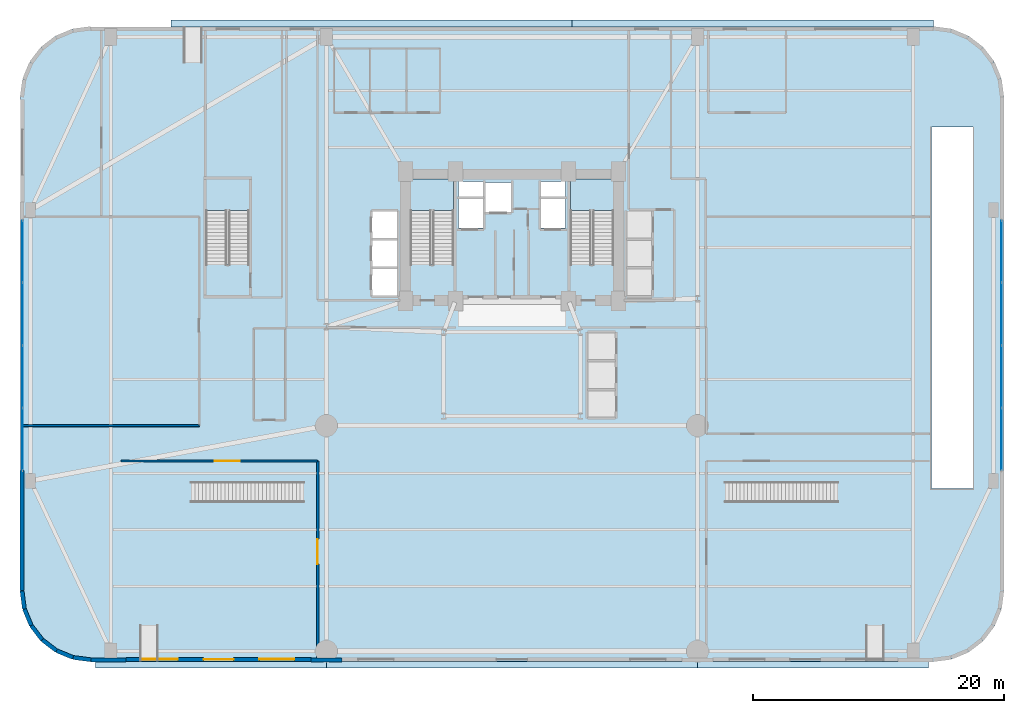
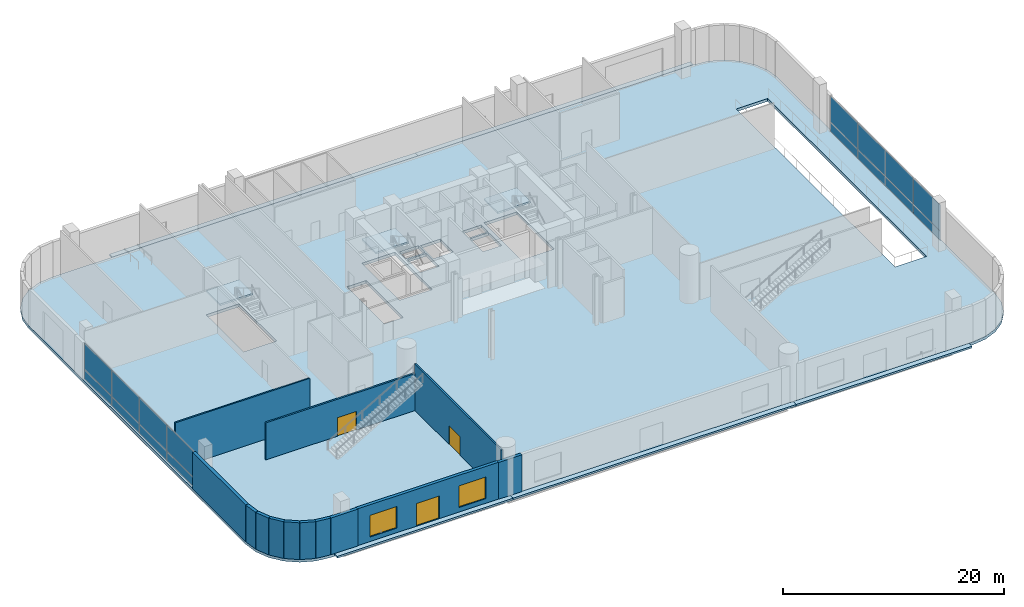
# One storey, part 15 of 26: 16 plates, 13 walls, 9 slabs, 3 doors, 2 windows, 5 openings, 5 elements without a shape of their own.
"""IFC4 building model written with IfcOpenShell, lengths in metres."""

from ifc_helpers import new_model, si_unit, direction, frame, frame_2d, origin, origin_2d, place, context, subcontext, project, spatial, polyline, rectangle, outline, extrude, source, transform, mapped, material, layer, layer_set, type_object, element, fill, aggregate, save


model = new_model("IFC4")

# Units and contexts
model_context = context("Model", 3, precision=1e-05, world=origin(), true_north=direction((0.0, 1.0)))
body_context = subcontext(model_context, "Body", "Model", "MODEL_VIEW")
ifc_project = project(units=[si_unit("LENGTHUNIT", "METRE"), si_unit("AREAUNIT", "SQUARE_METRE"), si_unit("VOLUMEUNIT", "CUBIC_METRE"), si_unit("PLANEANGLEUNIT", "RADIAN"), si_unit("MASSUNIT", "GRAM", prefix="KILO")], contexts=[model_context])

# Site, building, storey
site_placement = place(None, origin())
site = spatial("IfcSite", under=ifc_project, at=site_placement, CompositionType="ELEMENT")
building_placement = place(site_placement, origin())
building = spatial("IfcBuilding", under=site, at=building_placement, Name="Varnelok Gate Tower", CompositionType="ELEMENT")
storey_placement = place(building_placement, origin())
storey = spatial("IfcBuildingStorey", under=building, at=storey_placement, Name="L00", CompositionType="ELEMENT", Elevation=0.0)

# Stair, slab
ifc_material_1 = material(Name="Concrete C50/60", Category="concrete")
stair_type = type_object("IfcStairType", Name="STR-CORE-1650", PredefinedType="HALF_TURN_STAIR", material=ifc_material_1)
stair_1_placement = place(storey_placement, origin())
stair_1 = element("IfcStair", 1, at=stair_1_placement, inside=storey, type_object=stair_type, Name="L00 Exit Stair ST-1", PredefinedType="HALF_TURN_STAIR")
ifc_material_2 = material(Name="Concrete C45/55", Category="concrete")
ifc_layer_1 = layer(ifc_material_2, 0.199951171875)
ifc_layer_set_1 = layer_set([ifc_layer_1], Name="Concrete C45/55")
slab_type_1 = type_object("IfcSlabType", Name="SLB-LAND-200", PredefinedType="LANDING", material=ifc_layer_set_1)
slab_1_placement = place(storey_placement, frame((0.0, 0.0, 2.5)))
slab_1 = element("IfcSlab", 2, at=slab_1_placement, type_object=slab_type_1, Name="ST-1 landing 1", PredefinedType="LANDING", context=body_context, shape_type="SweptSolid", body=[
    extrude(outline(polyline([(34.550048828125, 35.949951171875), (34.550048828125, 38.449951171875), (31.10009765625, 38.449951171875), (31.10009765625, 35.949951171875), (34.550048828125, 35.949951171875)])), origin(), (0.0, 0.0, 1.0), 0.199951171875),
])
aggregate(stair_1, [slab_1])

stair_2_placement = place(storey_placement, origin())
stair_2 = element("IfcStair", 3, at=stair_2_placement, inside=storey, type_object=stair_type, Name="L00 Exit Stair ST-2", PredefinedType="HALF_TURN_STAIR")
slab_2_placement = place(storey_placement, frame((0.0, 0.0, 2.5)))
slab_2 = element("IfcSlab", 4, at=slab_2_placement, type_object=slab_type_1, Name="ST-2 landing 1", PredefinedType="LANDING", context=body_context, shape_type="SweptSolid", body=[
    extrude(outline(polyline([(47.300048828125, 35.949951171875), (47.300048828125, 38.449951171875), (43.85009765625, 38.449951171875), (43.85009765625, 35.949951171875), (47.300048828125, 35.949951171875)])), origin(), (0.0, 0.0, 1.0), 0.199951171875),
])
aggregate(stair_2, [slab_2])

stair_3_placement = place(storey_placement, origin())
stair_3 = element("IfcStair", 5, at=stair_3_placement, inside=storey, type_object=stair_type, Name="L00 Podium Exit Stair ST-3", PredefinedType="HALF_TURN_STAIR")
slab_3_placement = place(storey_placement, frame((0.0, 0.0, 2.5)))
slab_3 = element("IfcSlab", 6, at=slab_3_placement, type_object=slab_type_1, Name="ST-3 landing 1", PredefinedType="LANDING", context=body_context, shape_type="SweptSolid", body=[
    extrude(outline(polyline([(18.25, 35.949951171875), (18.25, 38.449951171875), (14.800048828125, 38.449951171875), (14.800048828125, 35.949951171875), (18.25, 35.949951171875)])), origin(), (0.0, 0.0, 1.0), 0.199951171875),
])
aggregate(stair_3, [slab_3])

# Slabs
ifc_layer_2 = layer(ifc_material_2, 0.199951171875)
ifc_layer_set_2 = layer_set([ifc_layer_2], Name="Concrete C45/55")
slab_type_2 = type_object("IfcSlabType", Name="SLB-PAVING-200", PredefinedType="USERDEFINED", material=ifc_layer_set_2)
slab_4_placement = place(storey_placement, frame((0.0, 0.0, -0.199951171875)))
element("IfcSlab", 7, at=slab_4_placement, inside=storey, type_object=slab_type_2, Name="South-West Hotel Drop-Off Forecourt Paving", ObjectType="PAVING", PredefinedType="USERDEFINED", context=body_context, shape_type="SweptSolid", body=[
    extrude(outline(polyline([(6.0, -0.550048828125), (24.39990234375, -0.550048828125), (24.39990234375, 0.0), (6.0, 0.0), (6.0, -0.550048828125)])), origin(), (0.0, 0.0, 1.0), 0.199951171875),
])
slab_5_placement = place(storey_placement, frame((0.0, 0.0, -0.199951171875)))
element("IfcSlab", 8, at=slab_5_placement, inside=storey, type_object=slab_type_2, Name="Grand Arch Portal Street Forecourt Paving", ObjectType="PAVING", PredefinedType="USERDEFINED", context=body_context, shape_type="SweptSolid", body=[
    extrude(outline(polyline([(24.39990234375, -0.550048828125), (54.0, -0.550048828125), (54.0, 0.0), (24.39990234375, 0.0), (24.39990234375, -0.550048828125)])), origin(), (0.0, 0.0, 1.0), 0.199951171875),
])
slab_6_placement = place(storey_placement, frame((0.0, 0.0, -0.199951171875)))
element("IfcSlab", 9, at=slab_6_placement, inside=storey, type_object=slab_type_2, Name="South-East Residences Forecourt Paving", ObjectType="PAVING", PredefinedType="USERDEFINED", context=body_context, shape_type="SweptSolid", body=[
    extrude(outline(polyline([(54.0, -0.550048828125), (72.39990234375, -0.550048828125), (72.39990234375, 0.0), (54.0, 0.0), (54.0, -0.550048828125)])), origin(), (0.0, 0.0, 1.0), 0.199951171875),
])
slab_7_placement = place(storey_placement, frame((0.0, 0.0, -0.199951171875)))
element("IfcSlab", 10, at=slab_7_placement, inside=storey, type_object=slab_type_2, Name="North Stair Exit Discharge Apron Paving", ObjectType="PAVING", PredefinedType="USERDEFINED", context=body_context, shape_type="SweptSolid", body=[
    extrude(outline(polyline([(12.0, 50.60009765625), (44.0, 50.60009765625), (44.0, 51.14990234375), (12.0, 51.14990234375), (12.0, 50.60009765625)])), origin(), (0.0, 0.0, 1.0), 0.199951171875),
])
slab_8_placement = place(storey_placement, frame((0.0, 0.0, -0.199951171875)))
element("IfcSlab", 11, at=slab_8_placement, inside=storey, type_object=slab_type_2, Name="North Driveway and FCC Apron Paving", ObjectType="PAVING", PredefinedType="USERDEFINED", context=body_context, shape_type="SweptSolid", body=[
    extrude(outline(polyline([(44.0, 50.60009765625), (72.800048828125, 50.60009765625), (72.800048828125, 51.14990234375), (44.0, 51.14990234375), (44.0, 50.60009765625)])), origin(), (0.0, 0.0, 1.0), 0.199951171875),
])
ifc_material_3 = material(Name="Concrete C60/75", Category="concrete")
ifc_layer_3 = layer(ifc_material_3, 0.320068359375)
ifc_layer_set_3 = layer_set([ifc_layer_3], Name="Concrete C60/75")
slab_type_3 = type_object("IfcSlabType", Name="SLB-TRN-320", PredefinedType="FLOOR", material=ifc_layer_set_3)
slab_9_placement = place(storey_placement, frame((0.0, 0.0, -0.320068359375)))
element("IfcSlab", 12, at=slab_9_placement, inside=storey, type_object=slab_type_3, Name="L00 Structural Floor Slab", PredefinedType="FLOOR", context=body_context, shape_type="SweptSolid", body=[
    extrude(outline(polyline([(0.0, 5.60009765625), (0.19091796875, 4.150634765625), (0.750244140625, 2.800048828125), (1.64013671875, 1.64013671875), (2.800048828125, 0.750244140625), (4.150634765625, 0.19091796875), (5.60009765625, 0.0), (72.800048828125, 0.0), (74.24951171875, 0.19091796875), (75.60009765625, 0.750244140625), (76.759765625, 1.64013671875), (77.649658203125, 2.800048828125), (78.209228515625, 4.150634765625), (78.39990234375, 5.60009765625), (78.39990234375, 45.0), (78.209228515625, 46.449462890625), (77.649658203125, 47.800048828125), (76.759765625, 48.959716796875), (75.60009765625, 49.849609375), (74.24951171875, 50.4091796875), (72.800048828125, 50.60009765625), (5.60009765625, 50.60009765625), (4.150634765625, 50.4091796875), (2.800048828125, 49.849609375), (1.64013671875, 48.959716796875), (0.750244140625, 47.800048828125), (0.19091796875, 46.449462890625), (0.0, 45.0), (0.0, 5.60009765625)]), holes=[polyline([(34.550048828125, 31.679931640625), (34.550048828125, 38.449951171875), (31.10009765625, 38.449951171875), (31.10009765625, 31.679931640625), (34.550048828125, 31.679931640625)]), polyline([(47.300048828125, 31.679931640625), (47.300048828125, 38.449951171875), (43.85009765625, 38.449951171875), (43.85009765625, 31.679931640625), (47.300048828125, 31.679931640625)]), polyline([(18.25, 31.679931640625), (18.25, 38.449951171875), (14.800048828125, 38.449951171875), (14.800048828125, 31.679931640625), (18.25, 31.679931640625)]), polyline([(34.949951171875, 34.550048828125), (36.89990234375, 34.550048828125), (36.89990234375, 36.89990234375), (34.949951171875, 36.89990234375), (34.949951171875, 34.550048828125)]), polyline([(41.5, 34.550048828125), (43.449951171875, 34.550048828125), (43.449951171875, 36.89990234375), (41.5, 36.89990234375), (41.5, 34.550048828125)]), polyline([(37.050048828125, 35.85009765625), (39.14990234375, 35.85009765625), (39.14990234375, 38.199951171875), (37.050048828125, 38.199951171875), (37.050048828125, 35.85009765625)]), polyline([(28.050048828125, 29.14990234375), (30.050048828125, 29.14990234375), (30.050048828125, 35.89990234375), (28.050048828125, 35.89990234375), (28.050048828125, 29.14990234375)]), polyline([(34.919921875, 37.080078125), (36.89990234375, 37.080078125), (36.89990234375, 38.280029296875), (34.919921875, 38.280029296875), (34.919921875, 37.080078125)]), polyline([(41.5, 37.080078125), (43.47998046875, 37.080078125), (43.47998046875, 38.280029296875), (41.5, 38.280029296875), (41.5, 37.080078125)]), polyline([(72.64990234375, 13.800048828125), (75.949951171875, 13.800048828125), (75.949951171875, 42.60009765625), (72.64990234375, 42.60009765625), (72.64990234375, 13.800048828125)])]), origin(), (0.0, 0.0, 1.0), 0.320068359375),
])

# Curtain wall, plates
ifc_material_4 = material(Name="Anodized Aluminum Alloy 6063-T6", Category="aluminium")
ifc_layer_4 = layer(ifc_material_4, 0.179931640625)
ifc_layer_set_4 = layer_set([ifc_layer_4], Name="Anodized Aluminum Alloy 6063-T6")
curtain_wall_type = type_object("IfcCurtainWallType", Name="CW1-ARCH-PORTAL", PredefinedType="USERDEFINED", material=ifc_layer_set_4)
curtain_wall_1_placement = place(storey_placement, origin())
curtain_wall_1 = element("IfcCurtainWall", 13, at=curtain_wall_1_placement, inside=storey, type_object=curtain_wall_type, Name="L00 Podium Portal Curtain Wall W", ObjectType="UNITISED CURTAIN WALL", PredefinedType="USERDEFINED")
ifc_material_5 = material(Name="Low-E Laminated Double Glazing IGU", Category="glass")
ifc_layer_5 = layer(ifc_material_5, 0.028076171875)
ifc_layer_set_5 = layer_set([ifc_layer_5], Name="Low-E Laminated Double Glazing IGU")
plate_type = type_object("IfcPlateType", Name="CW-PNL-IGU28", PredefinedType="CURTAIN_PANEL", material=ifc_layer_set_5)
shared_shape_1 = source(origin(), body_context, "Body", "SweptSolid", [
    extrude(rectangle(XDim=4.887451171875, YDim=0.028076171875, at=origin_2d()), origin(), (0.0, 0.0, 1.0), 0.987548828125),
])
plate_1_placement = place(storey_placement, frame((0.159912109375, 17.71875, 0.0751953125), z_axis=(0.0, 0.0, 1.0), x_axis=(0.0, 1.0, 0.0)))
plate_1 = element("IfcPlate", 14, at=plate_1_placement, type_object=plate_type, Name="CW1 panel 1.1", PredefinedType="CURTAIN_PANEL", context=body_context, shape_type="MappedRepresentation", body=[
    mapped(shared_shape_1, transform((0.0, 0.0, 0.0), scale=1.0)),
])
plate_2_placement = place(storey_placement, frame((0.159912109375, 32.68115234375, 0.0751953125), z_axis=(0.0, 0.0, 1.0), x_axis=(0.0, 1.0, 0.0)))
plate_2 = element("IfcPlate", 15, at=plate_2_placement, type_object=plate_type, Name="CW1 panel 4.1", PredefinedType="CURTAIN_PANEL", context=body_context, shape_type="MappedRepresentation", body=[
    mapped(shared_shape_1, transform((0.0, 0.0, 0.0), scale=1.0)),
])

curtain_wall_2_placement = place(storey_placement, origin())
curtain_wall_2 = element("IfcCurtainWall", 16, at=curtain_wall_2_placement, inside=storey, type_object=curtain_wall_type, Name="L00 Podium Portal Curtain Wall E", ObjectType="UNITISED CURTAIN WALL", PredefinedType="USERDEFINED")
plate_3_placement = place(storey_placement, frame((78.239990234375, 32.68115234375, 0.0751953125), z_axis=(0.0, 0.0, 1.0), x_axis=(0.0, -1.0, 0.0)))
plate_3 = element("IfcPlate", 17, at=plate_3_placement, type_object=plate_type, Name="CW1 panel 1.1", PredefinedType="CURTAIN_PANEL", context=body_context, shape_type="MappedRepresentation", body=[
    mapped(shared_shape_1, transform((0.0, 0.0, 0.0), scale=1.0)),
])
plate_4_placement = place(storey_placement, frame((78.239990234375, 17.71875, 0.0751953125), z_axis=(0.0, 0.0, 1.0), x_axis=(0.0, -1.0, 0.0)))
plate_4 = element("IfcPlate", 18, at=plate_4_placement, type_object=plate_type, Name="CW1 panel 4.1", PredefinedType="CURTAIN_PANEL", context=body_context, shape_type="MappedRepresentation", body=[
    mapped(shared_shape_1, transform((0.0, 0.0, 0.0), scale=1.0)),
])

# Plate
shared_shape_2 = source(origin(), body_context, "Body", "SweptSolid", [
    extrude(rectangle(XDim=4.887451171875, YDim=0.028076171875, at=origin_2d()), origin(), (0.0, 0.0, 1.0), 2.857421875),
])
plate_5_placement = place(storey_placement, frame((0.159912109375, 17.71875, 1.137451171875), z_axis=(0.0, 0.0, 1.0), x_axis=(0.0, 1.0, 0.0)))
plate_5 = element("IfcPlate", 19, at=plate_5_placement, type_object=plate_type, Name="CW1 panel 1.2", PredefinedType="CURTAIN_PANEL", context=body_context, shape_type="MappedRepresentation", body=[
    mapped(shared_shape_2, transform((0.0, 0.0, 0.0), scale=1.0)),
])

plate_6_placement = place(storey_placement, frame((0.159912109375, 32.68115234375, 1.137451171875), z_axis=(0.0, 0.0, 1.0), x_axis=(0.0, 1.0, 0.0)))
plate_6 = element("IfcPlate", 20, at=plate_6_placement, type_object=plate_type, Name="CW1 panel 4.2", PredefinedType="CURTAIN_PANEL", context=body_context, shape_type="MappedRepresentation", body=[
    mapped(shared_shape_2, transform((0.0, 0.0, 0.0), scale=1.0)),
])

plate_7_placement = place(storey_placement, frame((78.239990234375, 32.68115234375, 1.137451171875), z_axis=(0.0, 0.0, 1.0), x_axis=(0.0, -1.0, 0.0)))
plate_7 = element("IfcPlate", 21, at=plate_7_placement, type_object=plate_type, Name="CW1 panel 1.2", PredefinedType="CURTAIN_PANEL", context=body_context, shape_type="MappedRepresentation", body=[
    mapped(shared_shape_2, transform((0.0, 0.0, 0.0), scale=1.0)),
])

plate_8_placement = place(storey_placement, frame((78.239990234375, 17.71875, 1.137451171875), z_axis=(0.0, 0.0, 1.0), x_axis=(0.0, -1.0, 0.0)))
plate_8 = element("IfcPlate", 22, at=plate_8_placement, type_object=plate_type, Name="CW1 panel 4.2", PredefinedType="CURTAIN_PANEL", context=body_context, shape_type="MappedRepresentation", body=[
    mapped(shared_shape_2, transform((0.0, 0.0, 0.0), scale=1.0)),
])

shared_shape_3 = source(origin(), body_context, "Body", "SweptSolid", [
    extrude(rectangle(XDim=4.925048828125, YDim=0.028076171875, at=origin_2d()), origin(), (0.0, 0.0, 1.0), 0.987548828125),
])
plate_9_placement = place(storey_placement, frame((0.159912109375, 22.699951171875, 0.0751953125), z_axis=(0.0, 0.0, 1.0), x_axis=(0.0, 1.0, 0.0)))
plate_9 = element("IfcPlate", 23, at=plate_9_placement, type_object=plate_type, Name="CW1 panel 2.1", PredefinedType="CURTAIN_PANEL", context=body_context, shape_type="MappedRepresentation", body=[
    mapped(shared_shape_3, transform((0.0, 0.0, 0.0), scale=1.0)),
])

plate_10_placement = place(storey_placement, frame((0.159912109375, 27.699951171875, 0.0751953125), z_axis=(0.0, 0.0, 1.0), x_axis=(0.0, 1.0, 0.0)))
plate_10 = element("IfcPlate", 24, at=plate_10_placement, type_object=plate_type, Name="CW1 panel 3.1", PredefinedType="CURTAIN_PANEL", context=body_context, shape_type="MappedRepresentation", body=[
    mapped(shared_shape_3, transform((0.0, 0.0, 0.0), scale=1.0)),
])

plate_11_placement = place(storey_placement, frame((78.239990234375, 27.699951171875, 0.0751953125), z_axis=(0.0, 0.0, 1.0), x_axis=(0.0, -1.0, 0.0)))
plate_11 = element("IfcPlate", 25, at=plate_11_placement, type_object=plate_type, Name="CW1 panel 2.1", PredefinedType="CURTAIN_PANEL", context=body_context, shape_type="MappedRepresentation", body=[
    mapped(shared_shape_3, transform((0.0, 0.0, 0.0), scale=1.0)),
])

plate_12_placement = place(storey_placement, frame((78.239990234375, 22.699951171875, 0.0751953125), z_axis=(0.0, 0.0, 1.0), x_axis=(0.0, -1.0, 0.0)))
plate_12 = element("IfcPlate", 26, at=plate_12_placement, type_object=plate_type, Name="CW1 panel 3.1", PredefinedType="CURTAIN_PANEL", context=body_context, shape_type="MappedRepresentation", body=[
    mapped(shared_shape_3, transform((0.0, 0.0, 0.0), scale=1.0)),
])

shared_shape_4 = source(origin(), body_context, "Body", "SweptSolid", [
    extrude(rectangle(XDim=4.925048828125, YDim=0.028076171875, at=origin_2d()), origin(), (0.0, 0.0, 1.0), 2.857421875),
])
plate_13_placement = place(storey_placement, frame((0.159912109375, 22.699951171875, 1.137451171875), z_axis=(0.0, 0.0, 1.0), x_axis=(0.0, 1.0, 0.0)))
plate_13 = element("IfcPlate", 27, at=plate_13_placement, type_object=plate_type, Name="CW1 panel 2.2", PredefinedType="CURTAIN_PANEL", context=body_context, shape_type="MappedRepresentation", body=[
    mapped(shared_shape_4, transform((0.0, 0.0, 0.0), scale=1.0)),
])

plate_14_placement = place(storey_placement, frame((0.159912109375, 27.699951171875, 1.137451171875), z_axis=(0.0, 0.0, 1.0), x_axis=(0.0, 1.0, 0.0)))
plate_14 = element("IfcPlate", 28, at=plate_14_placement, type_object=plate_type, Name="CW1 panel 3.2", PredefinedType="CURTAIN_PANEL", context=body_context, shape_type="MappedRepresentation", body=[
    mapped(shared_shape_4, transform((0.0, 0.0, 0.0), scale=1.0)),
])

aggregate(curtain_wall_1, [plate_1, plate_5, plate_9, plate_13, plate_10, plate_14, plate_2, plate_6])

plate_15_placement = place(storey_placement, frame((78.239990234375, 27.699951171875, 1.137451171875), z_axis=(0.0, 0.0, 1.0), x_axis=(0.0, -1.0, 0.0)))
plate_15 = element("IfcPlate", 29, at=plate_15_placement, type_object=plate_type, Name="CW1 panel 2.2", PredefinedType="CURTAIN_PANEL", context=body_context, shape_type="MappedRepresentation", body=[
    mapped(shared_shape_4, transform((0.0, 0.0, 0.0), scale=1.0)),
])

plate_16_placement = place(storey_placement, frame((78.239990234375, 22.699951171875, 1.137451171875), z_axis=(0.0, 0.0, 1.0), x_axis=(0.0, -1.0, 0.0)))
plate_16 = element("IfcPlate", 30, at=plate_16_placement, type_object=plate_type, Name="CW1 panel 3.2", PredefinedType="CURTAIN_PANEL", context=body_context, shape_type="MappedRepresentation", body=[
    mapped(shared_shape_4, transform((0.0, 0.0, 0.0), scale=1.0)),
])

aggregate(curtain_wall_2, [plate_3, plate_7, plate_11, plate_15, plate_12, plate_16, plate_4, plate_8])

# Wall, openings, door, windows
ifc_layer_6 = layer(ifc_material_2, 0.320068359375)
ifc_layer_set_6 = layer_set([ifc_layer_6], Name="Concrete C45/55")
wall_type_1 = type_object("IfcWallType", Name="EW-POD-320", PredefinedType="SOLIDWALL", material=ifc_layer_set_6)
wall_1_placement = place(storey_placement, frame((23.199951171875, 0.159912109375, 0.0), z_axis=(0.0, 0.0, 1.0), x_axis=(-1.0, 0.0, 0.0)))
wall_1 = element("IfcWall", 31, at=wall_1_placement, inside=storey, type_object=wall_type_1, Name="EW-L00-SW Avenida Balboa Facade Wall", PredefinedType="SOLIDWALL", context=body_context, shape_type="SweptSolid", body=[
    extrude(rectangle(XDim=14.800048828125, YDim=0.320068359375, at=frame_2d((7.39990234375, 0.0))), origin(), (0.0, 0.0, 1.0), 4.070068359375),
])
opening_1_placement = place(wall_1_placement, frame((6.199951171875, 0.0, 0.0)))
opening_1 = element("IfcOpeningElement", 32, at=opening_1_placement, cuts=wall_1, Name="Opening ED-04", PredefinedType="OPENING", context=body_context, shape_type="SweptSolid", body=[
    extrude(rectangle(XDim=2.39990234375, YDim=2.5, at=frame_2d((1.199951171875, 1.25))), frame((0.0, 0.169921875, 0.0), z_axis=(0.0, -1.0, 0.0), x_axis=(1.0, 0.0, 0.0)), (0.0, 0.0, 1.0), 0.340087890625),
])
opening_2_placement = place(wall_1_placement, frame((1.35009765625, 0.0, 0.5)))
opening_2 = element("IfcOpeningElement", 33, at=opening_2_placement, cuts=wall_1, Name="Opening WN1", PredefinedType="OPENING", context=body_context, shape_type="SweptSolid", body=[
    extrude(rectangle(XDim=2.800048828125, YDim=2.39990234375, at=frame_2d((1.39990234375, 1.199951171875))), frame((0.0, 0.169921875, 0.0), z_axis=(0.0, -1.0, 0.0), x_axis=(1.0, 0.0, 0.0)), (0.0, 0.0, 1.0), 0.340087890625),
])
opening_3_placement = place(wall_1_placement, frame((10.64990234375, 0.0, 0.5)))
opening_3 = element("IfcOpeningElement", 34, at=opening_3_placement, cuts=wall_1, Name="Opening WN1", PredefinedType="OPENING", context=body_context, shape_type="SweptSolid", body=[
    extrude(rectangle(XDim=2.800048828125, YDim=2.39990234375, at=frame_2d((1.39990234375, 1.199951171875))), frame((0.0, 0.169921875, 0.0), z_axis=(0.0, -1.0, 0.0), x_axis=(1.0, 0.0, 0.0)), (0.0, 0.0, 1.0), 0.340087890625),
])
door_type_1 = type_object("IfcDoorType", Name="DR-EXT-PORT2400", OperationType="DOUBLE_DOOR_SINGLE_SWING", PredefinedType="DOOR", material=ifc_material_4)
door_1_placement = place(opening_1_placement, origin())
door_1 = element("IfcDoor", 35, at=door_1_placement, inside=storey, type_object=door_type_1, Name="L00 Hotel Arrival Final Exit Portal ED-04", OperationType="DOUBLE_DOOR_SINGLE_SWING", OverallHeight=2.5, OverallWidth=2.39990234375, PredefinedType="DOOR", context=body_context, shape_type="SweptSolid", body=[
    extrude(rectangle(XDim=2.39990234375, YDim=2.5, at=frame_2d((1.199951171875, 1.25))), frame((0.0, 0.02490234375, 0.0), z_axis=(0.0, -1.0, 0.0), x_axis=(1.0, 0.0, 0.0)), (0.0, 0.0, 1.0), 0.050048828125),
])
fill(opening_1, door_1)
window_type = type_object("IfcWindowType", Name="WN-SHOP-2800", PartitioningType="SINGLE_PANEL", PredefinedType="WINDOW", material=ifc_material_5)
window_1_placement = place(opening_2_placement, origin())
window_1 = element("IfcWindow", 36, at=window_1_placement, inside=storey, type_object=window_type, Name="L00 Streetfront Display Window EW-L00-SW-1", OverallHeight=2.39990234375, OverallWidth=2.800048828125, PartitioningType="SINGLE_PANEL", PredefinedType="WINDOW", context=body_context, shape_type="SweptSolid", body=[
    extrude(rectangle(XDim=2.800048828125, YDim=2.39990234375, at=frame_2d((1.39990234375, 1.199951171875))), frame((0.0, 0.030029296875, 0.0), z_axis=(0.0, -1.0, 0.0), x_axis=(1.0, 0.0, 0.0)), (0.0, 0.0, 1.0), 0.06005859375),
])
fill(opening_2, window_1)
window_2_placement = place(opening_3_placement, origin())
window_2 = element("IfcWindow", 37, at=window_2_placement, inside=storey, type_object=window_type, Name="L00 Streetfront Display Window EW-L00-SW-2", OverallHeight=2.39990234375, OverallWidth=2.800048828125, PartitioningType="SINGLE_PANEL", PredefinedType="WINDOW", context=body_context, shape_type="SweptSolid", body=[
    extrude(rectangle(XDim=2.800048828125, YDim=2.39990234375, at=frame_2d((1.39990234375, 1.199951171875))), frame((0.0, 0.030029296875, 0.0), z_axis=(0.0, -1.0, 0.0), x_axis=(1.0, 0.0, 0.0)), (0.0, 0.0, 1.0), 0.06005859375),
])
fill(opening_3, window_2)

# Walls
wall_2_placement = place(storey_placement, frame((0.1201171875, 5.60791015625, 0.0), z_axis=(0.0, 0.0, 1.0), x_axis=(0.130362303307, -0.991466423978, 0.0)))
element("IfcWall", 38, at=wall_2_placement, inside=storey, type_object=wall_type_1, Name="L00 Perimeter Facade Closure Wall 1", PredefinedType="SOLIDWALL", context=body_context, shape_type="SweptSolid", body=[
    extrude(rectangle(XDim=1.438232421875, YDim=0.320068359375, at=frame_2d((0.71923828125, 0.0))), origin(), (0.0, 0.0, 1.0), 4.070068359375),
])
wall_3_placement = place(storey_placement, frame((0.3173828125, 4.15869140625, 0.0), z_axis=(0.0, 0.0, 1.0), x_axis=(0.382628033724, -0.923902477434, 0.0)))
element("IfcWall", 39, at=wall_3_placement, inside=storey, type_object=wall_type_1, Name="L00 Perimeter Facade Closure Wall 2", PredefinedType="SOLIDWALL", context=body_context, shape_type="SweptSolid", body=[
    extrude(rectangle(XDim=1.405029296875, YDim=0.320068359375, at=frame_2d((0.70263671875, 0.0))), origin(), (0.0, 0.0, 1.0), 4.070068359375),
])
wall_4_placement = place(storey_placement, frame((0.870361328125, 2.8408203125, 0.0), z_axis=(0.0, 0.0, 1.0), x_axis=(0.60871962085, -0.79338541907, 0.0)))
element("IfcWall", 40, at=wall_4_placement, inside=storey, type_object=wall_type_1, Name="L00 Perimeter Facade Closure Wall 3", PredefinedType="SOLIDWALL", context=body_context, shape_type="SweptSolid", body=[
    extrude(rectangle(XDim=1.4052734375, YDim=0.320068359375, at=frame_2d((0.70263671875, 0.0))), origin(), (0.0, 0.0, 1.0), 4.070068359375),
])
for number, where, z_axis, x_axis, name in (
    (41, (1.74560546875, 1.710693359375, 0.0), (0.0, 0.0, 1.0), (0.793301521807, -0.608828954222, 0.0), "L00 Perimeter Facade Closure Wall 4"),
    (42, (2.883544921875, 0.845703125, 0.0), (0.0, 0.0, 1.0), (0.923805060986, -0.382863173075, 0.0), "L00 Perimeter Facade Closure Wall 5"),
):
    element("IfcWall", number, at=place(storey_placement, frame(where, z_axis=z_axis, x_axis=x_axis)), inside=storey, type_object=wall_type_1, Name=name, PredefinedType="SOLIDWALL", context=body_context, shape_type="SweptSolid", body=[
        extrude(rectangle(XDim=1.405517578125, YDim=0.320068359375, at=frame_2d((0.70263671875, 0.0))), origin(), (0.0, 0.0, 1.0), 4.070068359375),
    ])
wall_5_placement = place(storey_placement, frame((4.206787109375, 0.304443359375, 0.0), z_axis=(0.0, 0.0, 1.0), x_axis=(0.991457235349, -0.130432168094, 0.0)))
element("IfcWall", 43, at=wall_5_placement, inside=storey, type_object=wall_type_1, Name="L00 Perimeter Facade Closure Wall 6", PredefinedType="SOLIDWALL", context=body_context, shape_type="SweptSolid", body=[
    extrude(rectangle(XDim=1.4130859375, YDim=0.320068359375, at=frame_2d((0.70654296875, 0.0))), origin(), (0.0, 0.0, 1.0), 4.070068359375),
])
wall_6_placement = place(storey_placement, frame((5.6328125, 0.1201171875, 0.0), z_axis=(0.0, 0.0, 1.0), x_axis=(1.0, 0.0, 0.0)))
element("IfcWall", 44, at=wall_6_placement, inside=storey, type_object=wall_type_1, Name="L00 Perimeter Facade Closure Wall 7", PredefinedType="SOLIDWALL", context=body_context, shape_type="SweptSolid", body=[
    extrude(rectangle(XDim=2.797119140625, YDim=0.320068359375, at=frame_2d((1.3984375, 0.0))), origin(), (0.0, 0.0, 1.0), 4.070068359375),
])
wall_7_placement = place(storey_placement, frame((23.169921875, 0.1201171875, 0.0), z_axis=(0.0, 0.0, 1.0), x_axis=(1.0, 0.0, 0.0)))
element("IfcWall", 45, at=wall_7_placement, inside=storey, type_object=wall_type_1, Name="L00 Perimeter Facade Closure Wall 8", PredefinedType="SOLIDWALL", context=body_context, shape_type="SweptSolid", body=[
    extrude(rectangle(XDim=2.4599609375, YDim=0.320068359375, at=frame_2d((1.22998046875, 0.0))), origin(), (0.0, 0.0, 1.0), 4.070068359375),
])
wall_8_placement = place(storey_placement, frame((0.1201171875, 15.22998046875, 0.0), z_axis=(0.0, 0.0, 1.0), x_axis=(0.0, -1.0, 0.0)))
element("IfcWall", 46, at=wall_8_placement, inside=storey, type_object=wall_type_1, Name="L00 Perimeter Facade Closure Wall 32", PredefinedType="SOLIDWALL", context=body_context, shape_type="SweptSolid", body=[
    extrude(rectangle(XDim=9.59716796875, YDim=0.320068359375, at=frame_2d((4.798583984375, 0.0))), origin(), (0.0, 0.0, 1.0), 4.070068359375),
])

# Wall, opening, door
ifc_material_6 = material(Name="Gypsum Plasterboard Acoustic Partition", Category="gypsum")
ifc_layer_7 = layer(ifc_material_6, 0.179931640625)
ifc_layer_set_7 = layer_set([ifc_layer_7], Name="Gypsum Plasterboard Acoustic Partition")
wall_type_2 = type_object("IfcWallType", Name="PW-CORR-180", PredefinedType="PARTITIONING", material=ifc_layer_set_7)
wall_9_placement = place(storey_placement, frame((8.0, 15.97998046875, 0.0), z_axis=(0.0, 0.0, 1.0), x_axis=(1.0, 0.0, 0.0)))
wall_9 = element("IfcWall", 47, at=wall_9_placement, inside=storey, type_object=wall_type_2, Name="Interior Partition", PredefinedType="PARTITIONING", context=body_context, shape_type="SweptSolid", body=[
    extrude(rectangle(XDim=15.699951171875, YDim=0.179931640625, at=frame_2d((7.85009765625, 0.0))), origin(), (0.0, 0.0, 1.0), 4.0849609375),
])
opening_4_placement = place(wall_9_placement, frame((7.5, 0.0, 0.0)))
opening_4 = element("IfcOpeningElement", 48, at=opening_4_placement, cuts=wall_9, Name="Opening D-BL", PredefinedType="OPENING", context=body_context, shape_type="SweptSolid", body=[
    extrude(rectangle(XDim=2.0, YDim=2.050048828125, at=frame_2d((1.0, 1.02490234375))), frame((0.0, 0.099853515625, 0.0), z_axis=(0.0, -1.0, 0.0), x_axis=(1.0, 0.0, 0.0)), (0.0, 0.0, 1.0), 0.199951171875),
])
ifc_material_7 = material(Name="Engineered Hardwood Timber", Category="wood")
door_type_2 = type_object("IfcDoorType", Name="DR-BALL-2000", OperationType="DOUBLE_DOOR_SINGLE_SWING", PredefinedType="DOOR", material=ifc_material_7)
door_2_placement = place(opening_4_placement, origin())
door_2 = element("IfcDoor", 49, at=door_2_placement, inside=storey, type_object=door_type_2, Name="L00 Hotel Arcade Portal", OperationType="DOUBLE_DOOR_SINGLE_SWING", OverallHeight=2.050048828125, OverallWidth=2.0, PredefinedType="DOOR", context=body_context, shape_type="SweptSolid", body=[
    extrude(rectangle(XDim=2.0, YDim=2.050048828125, at=frame_2d((1.0, 1.02490234375))), frame((0.0, 0.02490234375, 0.0), z_axis=(0.0, -1.0, 0.0), x_axis=(1.0, 0.0, 0.0)), (0.0, 0.0, 1.0), 0.050048828125),
])
fill(opening_4, door_2)

wall_10_placement = place(storey_placement, frame((23.699951171875, 0.25, 0.0), z_axis=(0.0, 0.0, 1.0), x_axis=(0.0, 1.0, 0.0)))
wall_10 = element("IfcWall", 50, at=wall_10_placement, inside=storey, type_object=wall_type_2, Name="Interior Partition", PredefinedType="PARTITIONING", context=body_context, shape_type="SweptSolid", body=[
    extrude(rectangle(XDim=15.72998046875, YDim=0.179931640625, at=frame_2d((7.864990234375, 0.0))), origin(), (0.0, 0.0, 1.0), 5.1201171875),
])
opening_5_placement = place(wall_10_placement, frame((7.5, 0.0, 0.0)))
opening_5 = element("IfcOpeningElement", 51, at=opening_5_placement, cuts=wall_10, Name="Opening D-BL", PredefinedType="OPENING", context=body_context, shape_type="SweptSolid", body=[
    extrude(rectangle(XDim=2.0, YDim=2.050048828125, at=frame_2d((1.0, 1.02490234375))), frame((0.0, 0.099853515625, 0.0), z_axis=(0.0, -1.0, 0.0), x_axis=(1.0, 0.0, 0.0)), (0.0, 0.0, 1.0), 0.199951171875),
])
door_3_placement = place(opening_5_placement, origin())
door_3 = element("IfcDoor", 52, at=door_3_placement, inside=storey, type_object=door_type_2, Name="L00 Hotel Concourse Portal Door", OperationType="DOUBLE_DOOR_SINGLE_SWING", OverallHeight=2.050048828125, OverallWidth=2.0, PredefinedType="DOOR", context=body_context, shape_type="SweptSolid", body=[
    extrude(rectangle(XDim=2.0, YDim=2.050048828125, at=frame_2d((1.0, 1.02490234375))), frame((0.0, 0.02490234375, 0.0), z_axis=(0.0, -1.0, 0.0), x_axis=(1.0, 0.0, 0.0)), (0.0, 0.0, 1.0), 0.050048828125),
])
fill(opening_5, door_3)

# Wall
ifc_layer_8 = layer(ifc_material_6, 0.14990234375)
ifc_layer_set_8 = layer_set([ifc_layer_8], Name="Gypsum Plasterboard Acoustic Partition")
wall_type_3 = type_object("IfcWallType", Name="PW-PART-150", PredefinedType="PARTITIONING", material=ifc_layer_set_8)
wall_11_placement = place(storey_placement, frame((0.199951171875, 18.800048828125, 0.0), z_axis=(0.0, 0.0, 1.0), x_axis=(1.0, 0.0, 0.0)))
element("IfcWall", 53, at=wall_11_placement, inside=storey, type_object=wall_type_3, Name="Interior Partition", PredefinedType="PARTITIONING", context=body_context, shape_type="SweptSolid", body=[
    extrude(rectangle(XDim=14.050048828125, YDim=0.14990234375, at=frame_2d((7.02490234375, 0.0))), origin(), (0.0, 0.0, 1.0), 5.1201171875),
])

save(model, "model.ifc")
